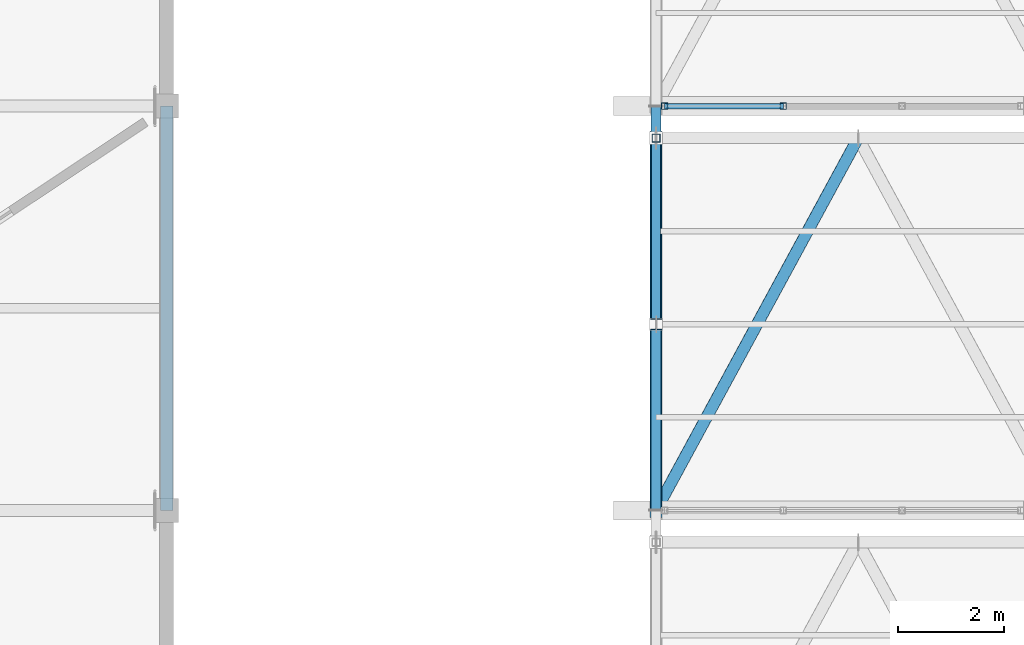
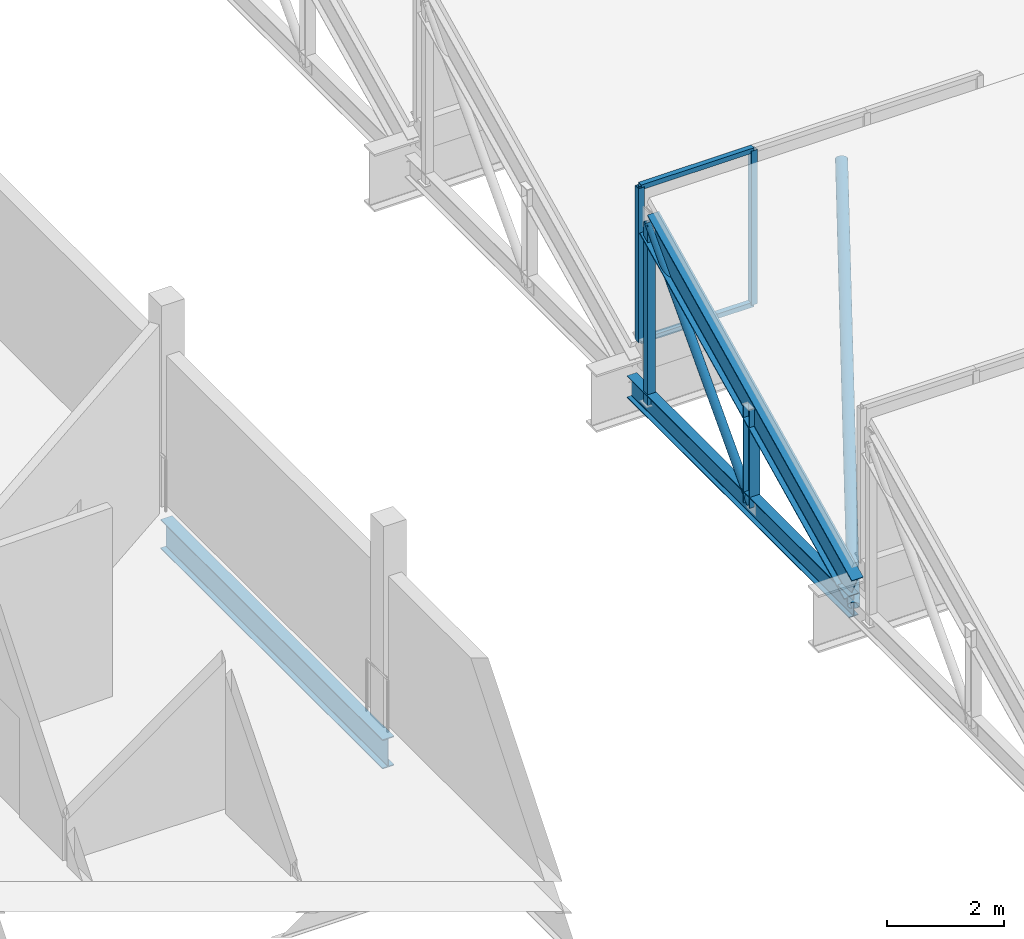
# One storey, part 5 of 57: 10 members, 1 beam, 1 element without a shape of its own.
"""IFC4 building model written with IfcOpenShell, lengths in metres."""

from ifc_helpers import new_model, si_unit, direction, frame, origin, origin_2d, place, context, subcontext, project, spatial, hollow_rectangle, hollow_circle, i_section, extrude, material, material_profile, profile_set, type_object, element, aggregate, save


model = new_model("IFC4")

# Units and contexts
model_context = context("Model", 3, precision=1e-05, world=origin(), true_north=direction((0.0, 1.0)))
body_context = subcontext(model_context, "Body", "Model", "MODEL_VIEW")
ifc_project = project(units=[si_unit("LENGTHUNIT", "METRE"), si_unit("AREAUNIT", "SQUARE_METRE"), si_unit("VOLUMEUNIT", "CUBIC_METRE"), si_unit("PLANEANGLEUNIT", "RADIAN"), si_unit("MASSUNIT", "GRAM", prefix="KILO")], contexts=[model_context])

# Site, building, storey
site_placement = place(None, origin())
site = spatial("IfcSite", under=ifc_project, at=site_placement, CompositionType="ELEMENT")
building_placement = place(site_placement, origin())
building = spatial("IfcBuilding", under=site, at=building_placement, Name="Zuvorla Pavilion Media Centre", CompositionType="ELEMENT")
storey_placement = place(building_placement, frame((0.0, 0.0, 18.0)))
storey = spatial("IfcBuildingStorey", under=building, at=storey_placement, Name="L04", CompositionType="ELEMENT", Elevation=18.0)

# Beam
ifc_material_1 = material(Name="Steel S355", Category="steel")
ifc_material_profile_1 = material_profile(ifc_material_1, i_section(OverallWidth=0.22900390625, OverallDepth=0.6123046875, WebThickness=0.011962890625, FlangeThickness=0.01953125, FilletRadius=0.0126953125, at=origin_2d()), Name="UB 610x229x125")
ifc_profile_set_1 = profile_set([ifc_material_profile_1], Name="Steel S355")
beam_type = type_object("IfcBeamType", Name="BM-UB610", PredefinedType="BEAM", material=ifc_profile_set_1)
beam_placement = place(storey_placement, frame((108.800048828125, 13.60009765625, -0.734130859375), z_axis=(0.0, 1.0, 0.0), x_axis=(-1.0, 0.0, 0.0)))
element("IfcBeam", 1, at=beam_placement, inside=storey, type_object=beam_type, Name="L04 beam B07 1450", PredefinedType="BEAM", context=body_context, shape_type="SweptSolid", body=[
    extrude(i_section(OverallWidth=0.22900390625, OverallDepth=0.6123046875, WebThickness=0.011962890625, FlangeThickness=0.01953125, FilletRadius=0.0126953125, at=origin_2d()), origin(), (0.0, 0.0, 1.0), 7.599853515625),
])

# Curtain wall, members
ifc_material_2 = material(Name="Unitised anodised aluminium and solar glass curtain wall", Category="aluminium")
curtain_wall_type = type_object("IfcCurtainWallType", Name="CW-SYS-90", PredefinedType="USERDEFINED", material=ifc_material_2)
curtain_wall_placement = place(storey_placement, origin())
curtain_wall = element("IfcCurtainWall", 2, at=curtain_wall_placement, inside=storey, type_object=curtain_wall_type, Name="L04 curtain wall CW90 230", ObjectType="CURTAIN WALL", PredefinedType="USERDEFINED")
ifc_material_3 = material(Name="Anodised aluminium 6063-T6", Category="aluminium")
ifc_material_profile_2 = material_profile(ifc_material_3, hollow_rectangle(XDim=0.1201171875, YDim=0.1201171875, WallThickness=0.0048828125, at=origin_2d()), Name="ALU MULL 120x120")
ifc_profile_set_2 = profile_set([ifc_material_profile_2], Name="Anodised aluminium 6063-T6")
member_type_1 = type_object("IfcMemberType", Name="CW-MULL-120", PredefinedType="MULLION", material=ifc_profile_set_2)
member_1_placement = place(storey_placement, frame((118.159912109375, 21.199951171875, 0.0), z_axis=(0.0, 0.0, 1.0), x_axis=(1.0, 0.0, 0.0)))
member_1 = element("IfcMember", 3, at=member_1_placement, type_object=member_type_1, Name="CW90 mullion 1", PredefinedType="MULLION", context=body_context, shape_type="SweptSolid", body=[
    extrude(hollow_rectangle(XDim=0.1201171875, YDim=0.1201171875, WallThickness=0.0048828125, at=origin_2d()), origin(), (0.0, 0.0, 1.0), 3.219970703125),
])
member_2_placement = place(storey_placement, frame((120.391845703125, 21.199951171875, 0.0), z_axis=(0.0, 0.0, 1.0), x_axis=(1.0, 0.0, 0.0)))
member_2 = element("IfcMember", 4, at=member_2_placement, type_object=member_type_1, Name="CW90 mullion 2", PredefinedType="MULLION", context=body_context, shape_type="SweptSolid", body=[
    extrude(hollow_rectangle(XDim=0.1201171875, YDim=0.1201171875, WallThickness=0.0048828125, at=origin_2d()), origin(), (0.0, 0.0, 1.0), 3.219970703125),
])
ifc_material_profile_3 = material_profile(ifc_material_3, hollow_rectangle(XDim=0.10009765625, YDim=0.10009765625, WallThickness=0.00439453125, at=origin_2d()), Name="ALU TRAN 100x100")
ifc_profile_set_3 = profile_set([ifc_material_profile_3], Name="Anodised aluminium 6063-T6")
member_type_2 = type_object("IfcMemberType", Name="CW-TRAN-100", PredefinedType="USERDEFINED", material=ifc_profile_set_3)
member_3_placement = place(storey_placement, frame((118.159912109375, 21.199951171875, 0.0), z_axis=(1.0, 0.0, 0.0), x_axis=(0.0, 1.0, 0.0)))
member_3 = element("IfcMember", 5, at=member_3_placement, type_object=member_type_2, Name="CW90 transom 1.1", ObjectType="TRANSOM", PredefinedType="USERDEFINED", context=body_context, shape_type="SweptSolid", body=[
    extrude(hollow_rectangle(XDim=0.10009765625, YDim=0.10009765625, WallThickness=0.00439453125, at=origin_2d()), origin(), (0.0, 0.0, 1.0), 2.23193359375),
])
member_4_placement = place(storey_placement, frame((118.159912109375, 21.199951171875, 3.219970703125), z_axis=(1.0, 0.0, 0.0), x_axis=(0.0, 1.0, 0.0)))
member_4 = element("IfcMember", 6, at=member_4_placement, type_object=member_type_2, Name="CW90 transom 1.2", ObjectType="TRANSOM", PredefinedType="USERDEFINED", context=body_context, shape_type="SweptSolid", body=[
    extrude(hollow_rectangle(XDim=0.10009765625, YDim=0.10009765625, WallThickness=0.00439453125, at=origin_2d()), origin(), (0.0, 0.0, 1.0), 2.23193359375),
])
aggregate(curtain_wall, [member_1, member_2, member_3, member_4])

# Members
ifc_material_profile_4 = material_profile(ifc_material_1, hollow_circle(Radius=0.084228515625, WallThickness=0.008056640625, at=origin_2d()), Name="CHS 168.3x8")
ifc_profile_set_4 = profile_set([ifc_material_profile_4], Name="Steel S355")
member_type_3 = type_object("IfcMemberType", Name="MEM-BRC-CHS168", PredefinedType="BRACE", material=ifc_profile_set_4)
member_5_placement = place(storey_placement, frame((118.0, 17.10009765625, -0.8798828125), z_axis=(0.0, 0.681156069412, 0.732138244529), x_axis=(-1.0, 0.0, 0.0)))
element("IfcMember", 7, at=member_5_placement, inside=storey, type_object=member_type_3, Name="L04 diagonal brace TB03 561", PredefinedType="BRACE", context=body_context, shape_type="SweptSolid", body=[
    extrude(hollow_circle(Radius=0.084228515625, WallThickness=0.008056640625, at=origin_2d()), origin(), (0.0, 0.0, 1.0), 5.138427734375),
])
ifc_material_profile_5 = material_profile(ifc_material_1, hollow_circle(Radius=0.109619140625, WallThickness=0.010009765625, at=origin_2d()), Name="CHS 219.1x10")
ifc_profile_set_5 = profile_set([ifc_material_profile_5], Name="Steel S355")
member_type_4 = type_object("IfcMemberType", Name="MEM-BRC-CHS219", PredefinedType="BRACE", material=ifc_profile_set_5)
member_6_placement = place(storey_placement, frame((118.0, 13.60009765625, -0.8798828125), z_axis=(0.431398513672, 0.79467126142, 0.427074827958), x_axis=(-0.878850861224, 0.477096597899, 0.0)))
element("IfcMember", 8, at=member_6_placement, inside=storey, type_object=member_type_4, Name="L04 diagonal brace TB02 589", PredefinedType="BRACE", context=body_context, shape_type="SweptSolid", body=[
    extrude(hollow_circle(Radius=0.109619140625, WallThickness=0.010009765625, at=origin_2d()), origin(), (0.0, 0.0, 1.0), 8.80859375),
])
ifc_material_profile_6 = material_profile(ifc_material_1, i_section(OverallWidth=0.19140625, OverallDepth=0.4599609375, WebThickness=0.010009765625, FlangeThickness=0.01611328125, FilletRadius=0.01025390625, at=origin_2d()), Name="UB 457x191x82")
ifc_profile_set_6 = profile_set([ifc_material_profile_6], Name="Steel S355")
member_type_5 = type_object("IfcMemberType", Name="MEM-CHD-UB457", PredefinedType="CHORD", material=ifc_profile_set_6)
member_7_placement = place(storey_placement, frame((118.0, 13.60009765625, -0.8798828125), z_axis=(0.0, 1.0, 0.0), x_axis=(-1.0, 0.0, 0.0)))
element("IfcMember", 9, at=member_7_placement, inside=storey, type_object=member_type_5, Name="L04 chord TC03 558", PredefinedType="CHORD", context=body_context, shape_type="SweptSolid", body=[
    extrude(i_section(OverallWidth=0.19140625, OverallDepth=0.4599609375, WebThickness=0.010009765625, FlangeThickness=0.01611328125, FilletRadius=0.01025390625, at=origin_2d()), origin(), (0.0, 0.0, 1.0), 7.599853515625),
])
ifc_material_profile_7 = material_profile(ifc_material_1, i_section(OverallWidth=0.22900390625, OverallDepth=0.6123046875, WebThickness=0.011962890625, FlangeThickness=0.01953125, FilletRadius=0.0126953125, at=origin_2d()), Name="UB 610x229x125")
ifc_profile_set_7 = profile_set([ifc_material_profile_7], Name="Steel S355")
member_type_6 = type_object("IfcMemberType", Name="MEM-CHD-UB610", PredefinedType="CHORD", material=ifc_profile_set_7)
member_8_placement = place(storey_placement, frame((118.0, 13.60009765625, -0.517822265625), z_axis=(0.0, 0.899513090263, 0.436893809117), x_axis=(-1.0, 0.0, 0.0)))
element("IfcMember", 10, at=member_8_placement, inside=storey, type_object=member_type_6, Name="L04 chord TC01 559", PredefinedType="CHORD", context=body_context, shape_type="SweptSolid", body=[
    extrude(i_section(OverallWidth=0.22900390625, OverallDepth=0.6123046875, WebThickness=0.011962890625, FlangeThickness=0.01953125, FilletRadius=0.0126953125, at=origin_2d()), origin(), (0.0, 0.0, 1.0), 7.781982421875),
])
ifc_material_profile_8 = material_profile(ifc_material_1, hollow_rectangle(XDim=0.14990234375, YDim=0.14990234375, WallThickness=0.008056640625, at=origin_2d()), Name="SHS 150x150x8")
ifc_profile_set_8 = profile_set([ifc_material_profile_8], Name="Steel S355")
member_type_7 = type_object("IfcMemberType", Name="MEM-STR-SHS150", PredefinedType="STRUT", material=ifc_profile_set_8)
member_9_placement = place(storey_placement, frame((118.0, 20.60009765625, -0.8798828125), z_axis=(0.0, 0.0, 1.0), x_axis=(1.0, 0.0, 0.0)))
element("IfcMember", 11, at=member_9_placement, inside=storey, type_object=member_type_7, Name="L04 vertical strut TS01 560", PredefinedType="STRUT", context=body_context, shape_type="SweptSolid", body=[
    extrude(hollow_rectangle(XDim=0.14990234375, YDim=0.14990234375, WallThickness=0.008056640625, at=origin_2d()), origin(), (0.0, 0.0, 1.0), 3.761962890625),
])
ifc_material_profile_9 = material_profile(ifc_material_1, i_section(OverallWidth=0.205810546875, OverallDepth=0.209716796875, WebThickness=0.009521484375, FlangeThickness=0.01416015625, FilletRadius=0.01025390625, at=origin_2d()), Name="UC 203x203x60")
ifc_profile_set_9 = profile_set([ifc_material_profile_9], Name="Steel S355")
member_type_8 = type_object("IfcMemberType", Name="MEM-STR-UC203", PredefinedType="STRUT", material=ifc_profile_set_9)
member_10_placement = place(storey_placement, frame((118.0, 17.10009765625, -0.8798828125), z_axis=(0.0, 0.0, 1.0), x_axis=(1.0, 0.0, 0.0)))
element("IfcMember", 12, at=member_10_placement, inside=storey, type_object=member_type_8, Name="L04 vertical strut TS02 562", PredefinedType="STRUT", context=body_context, shape_type="SweptSolid", body=[
    extrude(i_section(OverallWidth=0.205810546875, OverallDepth=0.209716796875, WebThickness=0.009521484375, FlangeThickness=0.01416015625, FilletRadius=0.01025390625, at=origin_2d()), origin(), (0.0, 0.0, 1.0), 2.06201171875),
])

save(model, "model.ifc")
